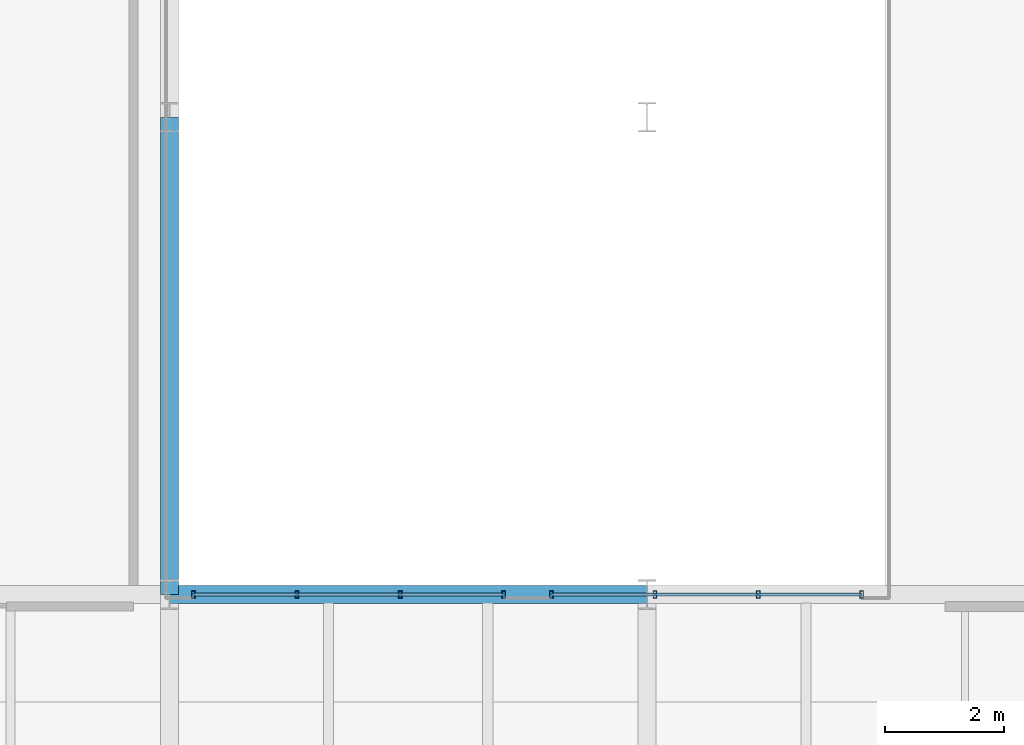
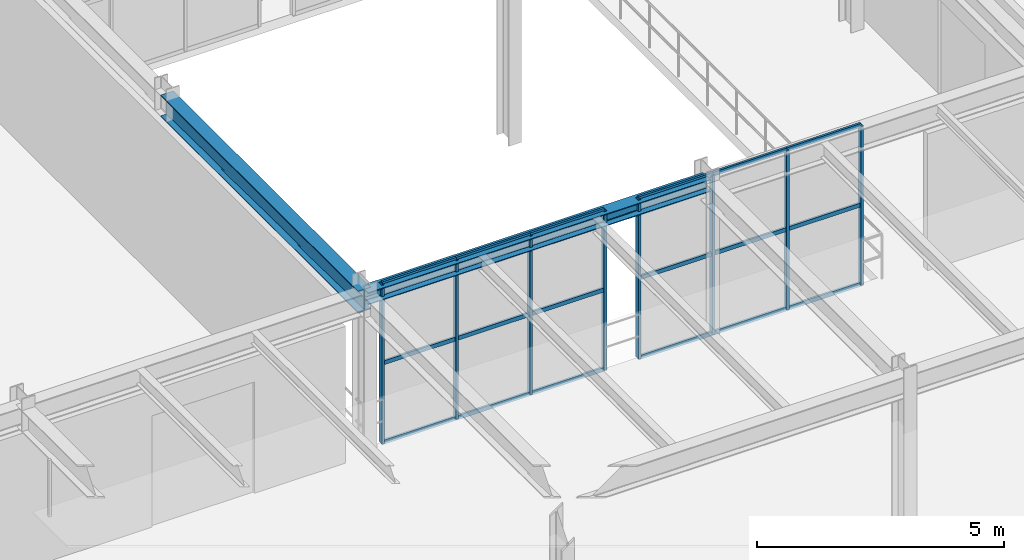
# One storey, part 63 of 122: 26 members, 2 beams, 2 elements without a shape of their own.
"""IFC4 building model written with IfcOpenShell, lengths in metres."""

from ifc_helpers import new_model, si_unit, direction, frame, origin, origin_2d, place, context, subcontext, project, spatial, hollow_rectangle, i_section, extrude, material, material_profile, profile_set, type_object, element, aggregate, save


model = new_model("IFC4")

# Units and contexts
model_context = context("Model", 3, precision=1e-05, world=origin(), true_north=direction((0.0, 1.0)))
body_context = subcontext(model_context, "Body", "Model", "MODEL_VIEW")
ifc_project = project(units=[si_unit("LENGTHUNIT", "METRE"), si_unit("AREAUNIT", "SQUARE_METRE"), si_unit("VOLUMEUNIT", "CUBIC_METRE"), si_unit("PLANEANGLEUNIT", "RADIAN"), si_unit("MASSUNIT", "GRAM", prefix="KILO")], contexts=[model_context])

# Site, building, storey
site_placement = place(None, origin())
site = spatial("IfcSite", under=ifc_project, at=site_placement, CompositionType="ELEMENT")
building_placement = place(site_placement, origin())
building = spatial("IfcBuilding", under=site, at=building_placement, Name="Sundkrona Museum", CompositionType="ELEMENT")
storey_placement = place(building_placement, frame((0.0, 0.0, 5.39990234375)))
storey = spatial("IfcBuildingStorey", under=building, at=storey_placement, Name="L01", CompositionType="ELEMENT", Elevation=5.39990234375)

# Beams
ifc_material_1 = material(Name="Steel S355J2", Category="steel")
ifc_material_profile_1 = material_profile(ifc_material_1, i_section(OverallWidth=0.300048828125, OverallDepth=0.5400390625, WebThickness=0.012451171875, FlangeThickness=0.02392578125, FilletRadius=0.027099609375, at=origin_2d()), Name="HEA 550")
ifc_profile_set_1 = profile_set([ifc_material_profile_1], Name="Steel S355J2")
beam_type_1 = type_object("IfcBeamType", Name="B-HEA550", PredefinedType="BEAM", material=ifc_profile_set_1)
beam_1_placement = place(storey_placement, frame((136.0, 16.0, 3.650146484375), z_axis=(0.0, 1.0, 0.0), x_axis=(-1.0, 0.0, 0.0)))
element("IfcBeam", 1, at=beam_1_placement, inside=storey, type_object=beam_type_1, Name="L01 Girder Y-1055", PredefinedType="BEAM", context=body_context, shape_type="SweptSolid", body=[
    extrude(i_section(OverallWidth=0.300048828125, OverallDepth=0.5400390625, WebThickness=0.012451171875, FlangeThickness=0.02392578125, FilletRadius=0.027099609375, at=origin_2d()), origin(), (0.0, 0.0, 1.0), 8.0),
])
ifc_material_profile_2 = material_profile(ifc_material_1, i_section(OverallWidth=0.300048828125, OverallDepth=0.300048828125, WebThickness=0.010986328125, FlangeThickness=0.01904296875, FilletRadius=0.027099609375, at=origin_2d()), Name="HEB 300")
ifc_profile_set_2 = profile_set([ifc_material_profile_2], Name="Steel S355J2")
beam_type_2 = type_object("IfcBeamType", Name="B-HEB300", PredefinedType="BEAM", material=ifc_profile_set_2)
beam_2_placement = place(storey_placement, frame((136.0, 16.0, 3.77001953125), z_axis=(1.0, 0.0, 0.0), x_axis=(0.0, 1.0, 0.0)))
element("IfcBeam", 2, at=beam_2_placement, inside=storey, type_object=beam_type_2, Name="L01 Girder X-0828", PredefinedType="BEAM", context=body_context, shape_type="SweptSolid", body=[
    extrude(i_section(OverallWidth=0.300048828125, OverallDepth=0.300048828125, WebThickness=0.010986328125, FlangeThickness=0.01904296875, FilletRadius=0.027099609375, at=origin_2d()), origin(), (0.0, 0.0, 1.0), 8.0),
])

# Curtain wall, members
ifc_material_2 = material(Name="Unitised Aluminium-Steel and Ceramic-Clad Curtain Walling", Category="steel")
curtain_wall_type = type_object("IfcCurtainWallType", Name="CW-SC-52x38", PredefinedType="NOTDEFINED", material=ifc_material_2)
curtain_wall_1_placement = place(storey_placement, origin())
curtain_wall_1 = element("IfcCurtainWall", 3, at=curtain_wall_1_placement, inside=storey, type_object=curtain_wall_type, Name="L01 Curtain Wall CW-L01-001", PredefinedType="NOTDEFINED")
ifc_material_3 = material(Name="Aluminium EN AW-6060 T66", Category="aluminium")
ifc_material_profile_3 = material_profile(ifc_material_3, hollow_rectangle(XDim=0.06005859375, YDim=0.1201171875, WallThickness=0.0048828125, at=origin_2d()), Name="RHS 120x60x5.0")
ifc_profile_set_3 = profile_set([ifc_material_profile_3], Name="Aluminium EN AW-6060 T66")
member_type_1 = type_object("IfcMemberType", Name="ML-120", PredefinedType="MULLION", material=ifc_profile_set_3)
member_1_placement = place(storey_placement, frame((136.39990234375, 16.0, -0.00390625), z_axis=(0.0, 0.0, 1.0), x_axis=(1.0, 0.0, 0.0)))
member_1 = element("IfcMember", 4, at=member_1_placement, type_object=member_type_1, Name="CW-L01-001 Mullion 01", PredefinedType="MULLION", context=body_context, shape_type="SweptSolid", body=[
    extrude(hollow_rectangle(XDim=0.06005859375, YDim=0.1201171875, WallThickness=0.0048828125, at=origin_2d()), origin(), (0.0, 0.0, 1.0), 3.927978515625),
])
member_2_placement = place(storey_placement, frame((138.13330078125, 16.0, -0.00390625), z_axis=(0.0, 0.0, 1.0), x_axis=(1.0, 0.0, 0.0)))
member_2 = element("IfcMember", 5, at=member_2_placement, type_object=member_type_1, Name="CW-L01-001 Mullion 02", PredefinedType="MULLION", context=body_context, shape_type="SweptSolid", body=[
    extrude(hollow_rectangle(XDim=0.06005859375, YDim=0.1201171875, WallThickness=0.0048828125, at=origin_2d()), origin(), (0.0, 0.0, 1.0), 3.927978515625),
])
member_3_placement = place(storey_placement, frame((139.86669921875, 16.0, -0.00390625), z_axis=(0.0, 0.0, 1.0), x_axis=(1.0, 0.0, 0.0)))
member_3 = element("IfcMember", 6, at=member_3_placement, type_object=member_type_1, Name="CW-L01-001 Mullion 03", PredefinedType="MULLION", context=body_context, shape_type="SweptSolid", body=[
    extrude(hollow_rectangle(XDim=0.06005859375, YDim=0.1201171875, WallThickness=0.0048828125, at=origin_2d()), origin(), (0.0, 0.0, 1.0), 3.927978515625),
])
member_4_placement = place(storey_placement, frame((141.60009765625, 16.0, -0.00390625), z_axis=(0.0, 0.0, 1.0), x_axis=(1.0, 0.0, 0.0)))
member_4 = element("IfcMember", 7, at=member_4_placement, type_object=member_type_1, Name="CW-L01-001 Mullion 04", PredefinedType="MULLION", context=body_context, shape_type="SweptSolid", body=[
    extrude(hollow_rectangle(XDim=0.06005859375, YDim=0.1201171875, WallThickness=0.0048828125, at=origin_2d()), origin(), (0.0, 0.0, 1.0), 3.927978515625),
])

curtain_wall_2_placement = place(storey_placement, origin())
curtain_wall_2 = element("IfcCurtainWall", 8, at=curtain_wall_2_placement, inside=storey, type_object=curtain_wall_type, Name="L01 Curtain Wall CW-L01-003", PredefinedType="NOTDEFINED")
member_5_placement = place(storey_placement, frame((142.39990234375, 16.0, -0.00390625), z_axis=(0.0, 0.0, 1.0), x_axis=(1.0, 0.0, 0.0)))
member_5 = element("IfcMember", 9, at=member_5_placement, type_object=member_type_1, Name="CW-L01-003 Mullion 01", PredefinedType="MULLION", context=body_context, shape_type="SweptSolid", body=[
    extrude(hollow_rectangle(XDim=0.06005859375, YDim=0.1201171875, WallThickness=0.0048828125, at=origin_2d()), origin(), (0.0, 0.0, 1.0), 3.927978515625),
])
member_6_placement = place(storey_placement, frame((144.13330078125, 16.0, -0.00390625), z_axis=(0.0, 0.0, 1.0), x_axis=(1.0, 0.0, 0.0)))
member_6 = element("IfcMember", 10, at=member_6_placement, type_object=member_type_1, Name="CW-L01-003 Mullion 02", PredefinedType="MULLION", context=body_context, shape_type="SweptSolid", body=[
    extrude(hollow_rectangle(XDim=0.06005859375, YDim=0.1201171875, WallThickness=0.0048828125, at=origin_2d()), origin(), (0.0, 0.0, 1.0), 3.927978515625),
])
member_7_placement = place(storey_placement, frame((145.86669921875, 16.0, -0.00390625), z_axis=(0.0, 0.0, 1.0), x_axis=(1.0, 0.0, 0.0)))
member_7 = element("IfcMember", 11, at=member_7_placement, type_object=member_type_1, Name="CW-L01-003 Mullion 03", PredefinedType="MULLION", context=body_context, shape_type="SweptSolid", body=[
    extrude(hollow_rectangle(XDim=0.06005859375, YDim=0.1201171875, WallThickness=0.0048828125, at=origin_2d()), origin(), (0.0, 0.0, 1.0), 3.927978515625),
])
member_8_placement = place(storey_placement, frame((147.60009765625, 16.0, -0.00390625), z_axis=(0.0, 0.0, 1.0), x_axis=(1.0, 0.0, 0.0)))
member_8 = element("IfcMember", 12, at=member_8_placement, type_object=member_type_1, Name="CW-L01-003 Mullion 04", PredefinedType="MULLION", context=body_context, shape_type="SweptSolid", body=[
    extrude(hollow_rectangle(XDim=0.06005859375, YDim=0.1201171875, WallThickness=0.0048828125, at=origin_2d()), origin(), (0.0, 0.0, 1.0), 3.927978515625),
])

# Member
ifc_material_profile_4 = material_profile(ifc_material_3, hollow_rectangle(XDim=0.050048828125, YDim=0.10009765625, WallThickness=0.0048828125, at=origin_2d()), Name="RHS 100x50x5.0")
ifc_profile_set_4 = profile_set([ifc_material_profile_4], Name="Aluminium EN AW-6060 T66")
member_type_2 = type_object("IfcMemberType", Name="TR-100", PredefinedType="USERDEFINED", material=ifc_profile_set_4)
member_9_placement = place(storey_placement, frame((136.39990234375, 16.0, -0.00390625), z_axis=(1.0, 0.0, 0.0), x_axis=(0.0, 1.0, 0.0)))
member_9 = element("IfcMember", 13, at=member_9_placement, type_object=member_type_2, Name="CW-L01-001 Transom 01", ObjectType="TRANSOM", PredefinedType="USERDEFINED", context=body_context, shape_type="SweptSolid", body=[
    extrude(hollow_rectangle(XDim=0.050048828125, YDim=0.10009765625, WallThickness=0.0048828125, at=origin_2d()), origin(), (0.0, 0.0, 1.0), 1.7333984375),
])

member_10_placement = place(storey_placement, frame((136.39990234375, 16.0, 1.960205078125), z_axis=(1.0, 0.0, 0.0), x_axis=(0.0, 1.0, 0.0)))
member_10 = element("IfcMember", 14, at=member_10_placement, type_object=member_type_2, Name="CW-L01-001 Transom 02", ObjectType="TRANSOM", PredefinedType="USERDEFINED", context=body_context, shape_type="SweptSolid", body=[
    extrude(hollow_rectangle(XDim=0.050048828125, YDim=0.10009765625, WallThickness=0.0048828125, at=origin_2d()), origin(), (0.0, 0.0, 1.0), 1.7333984375),
])

member_11_placement = place(storey_placement, frame((136.39990234375, 16.0, 3.924072265625), z_axis=(1.0, 0.0, 0.0), x_axis=(0.0, 1.0, 0.0)))
member_11 = element("IfcMember", 15, at=member_11_placement, type_object=member_type_2, Name="CW-L01-001 Transom 03", ObjectType="TRANSOM", PredefinedType="USERDEFINED", context=body_context, shape_type="SweptSolid", body=[
    extrude(hollow_rectangle(XDim=0.050048828125, YDim=0.10009765625, WallThickness=0.0048828125, at=origin_2d()), origin(), (0.0, 0.0, 1.0), 1.7333984375),
])

member_12_placement = place(storey_placement, frame((138.13330078125, 16.0, -0.00390625), z_axis=(1.0, 0.0, 0.0), x_axis=(0.0, 1.0, 0.0)))
member_12 = element("IfcMember", 16, at=member_12_placement, type_object=member_type_2, Name="CW-L01-001 Transom 04", ObjectType="TRANSOM", PredefinedType="USERDEFINED", context=body_context, shape_type="SweptSolid", body=[
    extrude(hollow_rectangle(XDim=0.050048828125, YDim=0.10009765625, WallThickness=0.0048828125, at=origin_2d()), origin(), (0.0, 0.0, 1.0), 1.7333984375),
])

member_13_placement = place(storey_placement, frame((138.13330078125, 16.0, 1.960205078125), z_axis=(1.0, 0.0, 0.0), x_axis=(0.0, 1.0, 0.0)))
member_13 = element("IfcMember", 17, at=member_13_placement, type_object=member_type_2, Name="CW-L01-001 Transom 05", ObjectType="TRANSOM", PredefinedType="USERDEFINED", context=body_context, shape_type="SweptSolid", body=[
    extrude(hollow_rectangle(XDim=0.050048828125, YDim=0.10009765625, WallThickness=0.0048828125, at=origin_2d()), origin(), (0.0, 0.0, 1.0), 1.7333984375),
])

member_14_placement = place(storey_placement, frame((138.13330078125, 16.0, 3.924072265625), z_axis=(1.0, 0.0, 0.0), x_axis=(0.0, 1.0, 0.0)))
member_14 = element("IfcMember", 18, at=member_14_placement, type_object=member_type_2, Name="CW-L01-001 Transom 06", ObjectType="TRANSOM", PredefinedType="USERDEFINED", context=body_context, shape_type="SweptSolid", body=[
    extrude(hollow_rectangle(XDim=0.050048828125, YDim=0.10009765625, WallThickness=0.0048828125, at=origin_2d()), origin(), (0.0, 0.0, 1.0), 1.7333984375),
])

member_15_placement = place(storey_placement, frame((139.86669921875, 16.0, -0.00390625), z_axis=(1.0, 0.0, 0.0), x_axis=(0.0, 1.0, 0.0)))
member_15 = element("IfcMember", 19, at=member_15_placement, type_object=member_type_2, Name="CW-L01-001 Transom 07", ObjectType="TRANSOM", PredefinedType="USERDEFINED", context=body_context, shape_type="SweptSolid", body=[
    extrude(hollow_rectangle(XDim=0.050048828125, YDim=0.10009765625, WallThickness=0.0048828125, at=origin_2d()), origin(), (0.0, 0.0, 1.0), 1.7333984375),
])

member_16_placement = place(storey_placement, frame((139.86669921875, 16.0, 1.960205078125), z_axis=(1.0, 0.0, 0.0), x_axis=(0.0, 1.0, 0.0)))
member_16 = element("IfcMember", 20, at=member_16_placement, type_object=member_type_2, Name="CW-L01-001 Transom 08", ObjectType="TRANSOM", PredefinedType="USERDEFINED", context=body_context, shape_type="SweptSolid", body=[
    extrude(hollow_rectangle(XDim=0.050048828125, YDim=0.10009765625, WallThickness=0.0048828125, at=origin_2d()), origin(), (0.0, 0.0, 1.0), 1.7333984375),
])

member_17_placement = place(storey_placement, frame((139.86669921875, 16.0, 3.924072265625), z_axis=(1.0, 0.0, 0.0), x_axis=(0.0, 1.0, 0.0)))
member_17 = element("IfcMember", 21, at=member_17_placement, type_object=member_type_2, Name="CW-L01-001 Transom 09", ObjectType="TRANSOM", PredefinedType="USERDEFINED", context=body_context, shape_type="SweptSolid", body=[
    extrude(hollow_rectangle(XDim=0.050048828125, YDim=0.10009765625, WallThickness=0.0048828125, at=origin_2d()), origin(), (0.0, 0.0, 1.0), 1.7333984375),
])

aggregate(curtain_wall_1, [member_1, member_2, member_3, member_4, member_9, member_10, member_11, member_12, member_13, member_14, member_15, member_16, member_17])

member_18_placement = place(storey_placement, frame((142.39990234375, 16.0, -0.00390625), z_axis=(1.0, 0.0, 0.0), x_axis=(0.0, 1.0, 0.0)))
member_18 = element("IfcMember", 22, at=member_18_placement, type_object=member_type_2, Name="CW-L01-003 Transom 01", ObjectType="TRANSOM", PredefinedType="USERDEFINED", context=body_context, shape_type="SweptSolid", body=[
    extrude(hollow_rectangle(XDim=0.050048828125, YDim=0.10009765625, WallThickness=0.0048828125, at=origin_2d()), origin(), (0.0, 0.0, 1.0), 1.7333984375),
])

member_19_placement = place(storey_placement, frame((142.39990234375, 16.0, 1.960205078125), z_axis=(1.0, 0.0, 0.0), x_axis=(0.0, 1.0, 0.0)))
member_19 = element("IfcMember", 23, at=member_19_placement, type_object=member_type_2, Name="CW-L01-003 Transom 02", ObjectType="TRANSOM", PredefinedType="USERDEFINED", context=body_context, shape_type="SweptSolid", body=[
    extrude(hollow_rectangle(XDim=0.050048828125, YDim=0.10009765625, WallThickness=0.0048828125, at=origin_2d()), origin(), (0.0, 0.0, 1.0), 1.7333984375),
])

member_20_placement = place(storey_placement, frame((142.39990234375, 16.0, 3.924072265625), z_axis=(1.0, 0.0, 0.0), x_axis=(0.0, 1.0, 0.0)))
member_20 = element("IfcMember", 24, at=member_20_placement, type_object=member_type_2, Name="CW-L01-003 Transom 03", ObjectType="TRANSOM", PredefinedType="USERDEFINED", context=body_context, shape_type="SweptSolid", body=[
    extrude(hollow_rectangle(XDim=0.050048828125, YDim=0.10009765625, WallThickness=0.0048828125, at=origin_2d()), origin(), (0.0, 0.0, 1.0), 1.7333984375),
])

member_21_placement = place(storey_placement, frame((144.13330078125, 16.0, -0.00390625), z_axis=(1.0, 0.0, 0.0), x_axis=(0.0, 1.0, 0.0)))
member_21 = element("IfcMember", 25, at=member_21_placement, type_object=member_type_2, Name="CW-L01-003 Transom 04", ObjectType="TRANSOM", PredefinedType="USERDEFINED", context=body_context, shape_type="SweptSolid", body=[
    extrude(hollow_rectangle(XDim=0.050048828125, YDim=0.10009765625, WallThickness=0.0048828125, at=origin_2d()), origin(), (0.0, 0.0, 1.0), 1.7333984375),
])

member_22_placement = place(storey_placement, frame((144.13330078125, 16.0, 1.960205078125), z_axis=(1.0, 0.0, 0.0), x_axis=(0.0, 1.0, 0.0)))
member_22 = element("IfcMember", 26, at=member_22_placement, type_object=member_type_2, Name="CW-L01-003 Transom 05", ObjectType="TRANSOM", PredefinedType="USERDEFINED", context=body_context, shape_type="SweptSolid", body=[
    extrude(hollow_rectangle(XDim=0.050048828125, YDim=0.10009765625, WallThickness=0.0048828125, at=origin_2d()), origin(), (0.0, 0.0, 1.0), 1.7333984375),
])

member_23_placement = place(storey_placement, frame((144.13330078125, 16.0, 3.924072265625), z_axis=(1.0, 0.0, 0.0), x_axis=(0.0, 1.0, 0.0)))
member_23 = element("IfcMember", 27, at=member_23_placement, type_object=member_type_2, Name="CW-L01-003 Transom 06", ObjectType="TRANSOM", PredefinedType="USERDEFINED", context=body_context, shape_type="SweptSolid", body=[
    extrude(hollow_rectangle(XDim=0.050048828125, YDim=0.10009765625, WallThickness=0.0048828125, at=origin_2d()), origin(), (0.0, 0.0, 1.0), 1.7333984375),
])

member_24_placement = place(storey_placement, frame((145.86669921875, 16.0, -0.00390625), z_axis=(1.0, 0.0, 0.0), x_axis=(0.0, 1.0, 0.0)))
member_24 = element("IfcMember", 28, at=member_24_placement, type_object=member_type_2, Name="CW-L01-003 Transom 07", ObjectType="TRANSOM", PredefinedType="USERDEFINED", context=body_context, shape_type="SweptSolid", body=[
    extrude(hollow_rectangle(XDim=0.050048828125, YDim=0.10009765625, WallThickness=0.0048828125, at=origin_2d()), origin(), (0.0, 0.0, 1.0), 1.7333984375),
])

member_25_placement = place(storey_placement, frame((145.86669921875, 16.0, 1.960205078125), z_axis=(1.0, 0.0, 0.0), x_axis=(0.0, 1.0, 0.0)))
member_25 = element("IfcMember", 29, at=member_25_placement, type_object=member_type_2, Name="CW-L01-003 Transom 08", ObjectType="TRANSOM", PredefinedType="USERDEFINED", context=body_context, shape_type="SweptSolid", body=[
    extrude(hollow_rectangle(XDim=0.050048828125, YDim=0.10009765625, WallThickness=0.0048828125, at=origin_2d()), origin(), (0.0, 0.0, 1.0), 1.7333984375),
])

member_26_placement = place(storey_placement, frame((145.86669921875, 16.0, 3.924072265625), z_axis=(1.0, 0.0, 0.0), x_axis=(0.0, 1.0, 0.0)))
member_26 = element("IfcMember", 30, at=member_26_placement, type_object=member_type_2, Name="CW-L01-003 Transom 09", ObjectType="TRANSOM", PredefinedType="USERDEFINED", context=body_context, shape_type="SweptSolid", body=[
    extrude(hollow_rectangle(XDim=0.050048828125, YDim=0.10009765625, WallThickness=0.0048828125, at=origin_2d()), origin(), (0.0, 0.0, 1.0), 1.7333984375),
])

aggregate(curtain_wall_2, [member_5, member_6, member_7, member_8, member_18, member_19, member_20, member_21, member_22, member_23, member_24, member_25, member_26])

save(model, "model.ifc")
